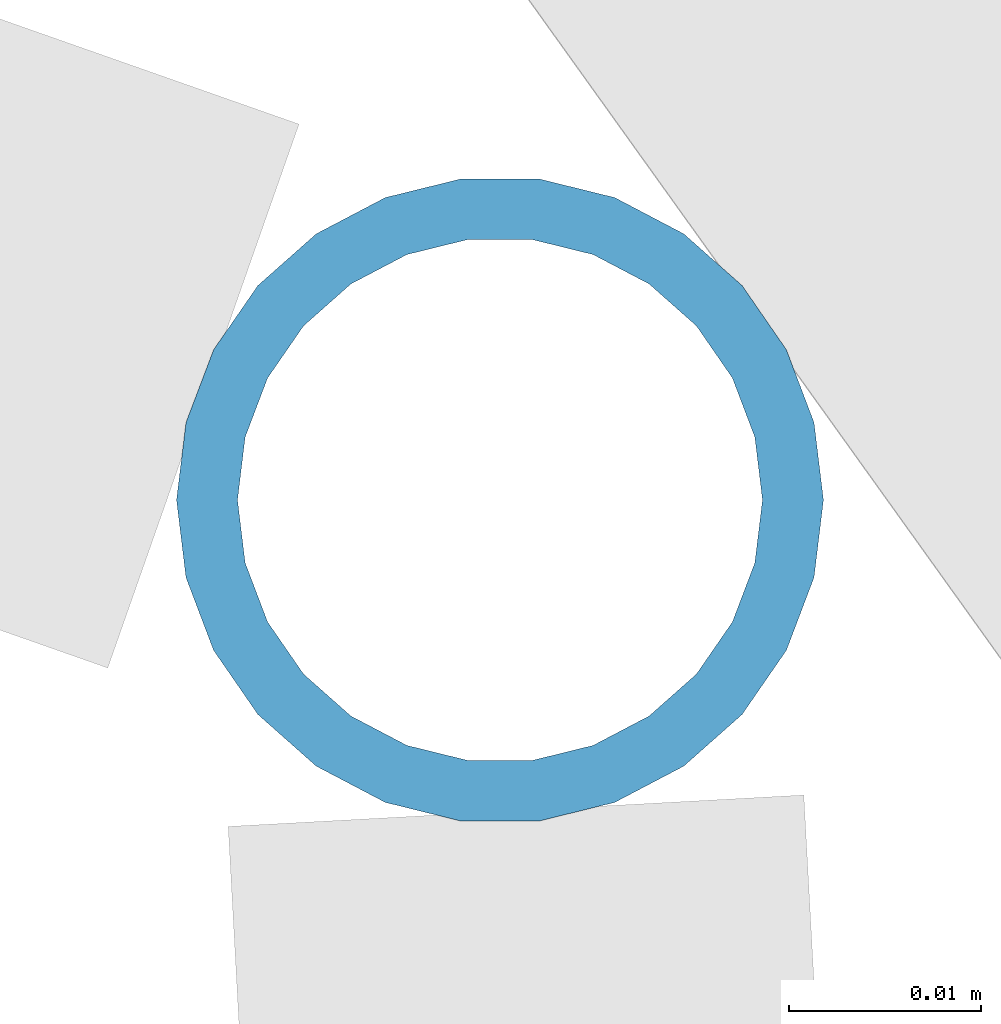
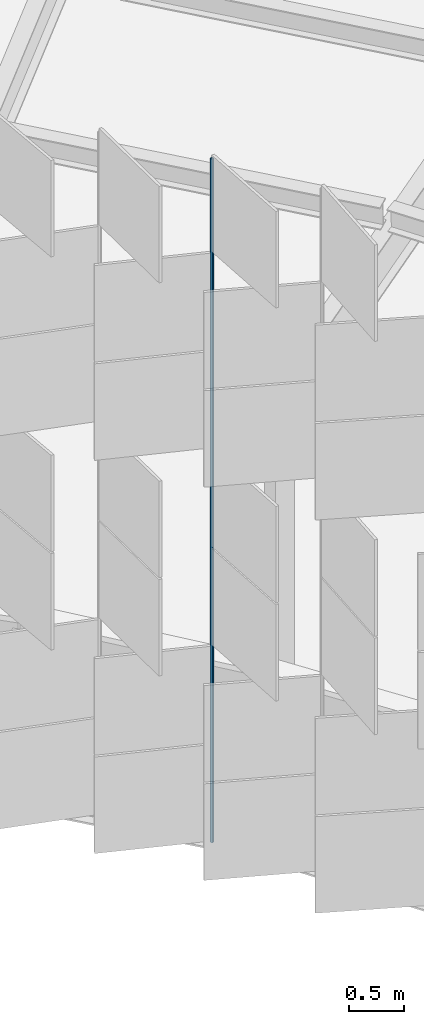
# One storey, part 259 of 483: 1 discrete accessory.
"""IFC4 building model written with IfcOpenShell, lengths in metres."""

from ifc_helpers import new_model, si_unit, direction, frame, origin, origin_2d, place, context, subcontext, project, spatial, hollow_circle, extrude, material, material_profile, profile_set, type_object, element, save


model = new_model("IFC4")

# Units and contexts
model_context = context("Model", 3, precision=1e-05, world=origin(), true_north=direction((0.0, 1.0)))
body_context = subcontext(model_context, "Body", "Model", "MODEL_VIEW")
ifc_project = project(units=[si_unit("LENGTHUNIT", "METRE"), si_unit("AREAUNIT", "SQUARE_METRE"), si_unit("VOLUMEUNIT", "CUBIC_METRE"), si_unit("PLANEANGLEUNIT", "RADIAN"), si_unit("MASSUNIT", "GRAM", prefix="KILO")], contexts=[model_context])

# Site, building, storey
site_placement = place(None, origin())
site = spatial("IfcSite", under=ifc_project, at=site_placement, CompositionType="ELEMENT")
building_placement = place(site_placement, origin())
building = spatial("IfcBuilding", under=site, at=building_placement, Name="Parallax Yard Mobility Hub", CompositionType="ELEMENT")
storey_placement = place(building_placement, frame((0.0, 0.0, 13.199951171875)))
storey = spatial("IfcBuildingStorey", under=building, at=storey_placement, Name="L04", CompositionType="ELEMENT", Elevation=13.199951171875)

# Discrete accessory
ifc_material = material(Name="Steel ASTM A500 Gr C, hot-dip galvanised", Category="steel")
ifc_material_profile = material_profile(ifc_material, hollow_circle(Radius=0.016845703125, WallThickness=0.003173828125, at=origin_2d()), Name="CHS 33.7x3.2")
ifc_profile_set = profile_set([ifc_material_profile], Name="Steel ASTM A500 Gr C, hot-dip galvanised")
discrete_accessory_type = type_object("IfcDiscreteAccessoryType", Name="Hinge post CHS 33.7x3.2", PredefinedType="BRACKET", material=ifc_profile_set)
discrete_accessory_placement = place(storey_placement, frame((189.8818359375, 102.63427734375, 0.0), z_axis=(0.0, 0.0, 1.0), x_axis=(1.0, 0.0, 0.0)))
element("IfcDiscreteAccessory", 1, at=discrete_accessory_placement, inside=storey, type_object=discrete_accessory_type, Name="Hinge post bay 21.1 level L04", PredefinedType="BRACKET", context=body_context, shape_type="SweptSolid", body=[
    extrude(hollow_circle(Radius=0.016845703125, WallThickness=0.003173828125, at=origin_2d()), origin(), (0.0, 0.0, 1.0), 7.650146484375),
])

save(model, "model.ifc")
